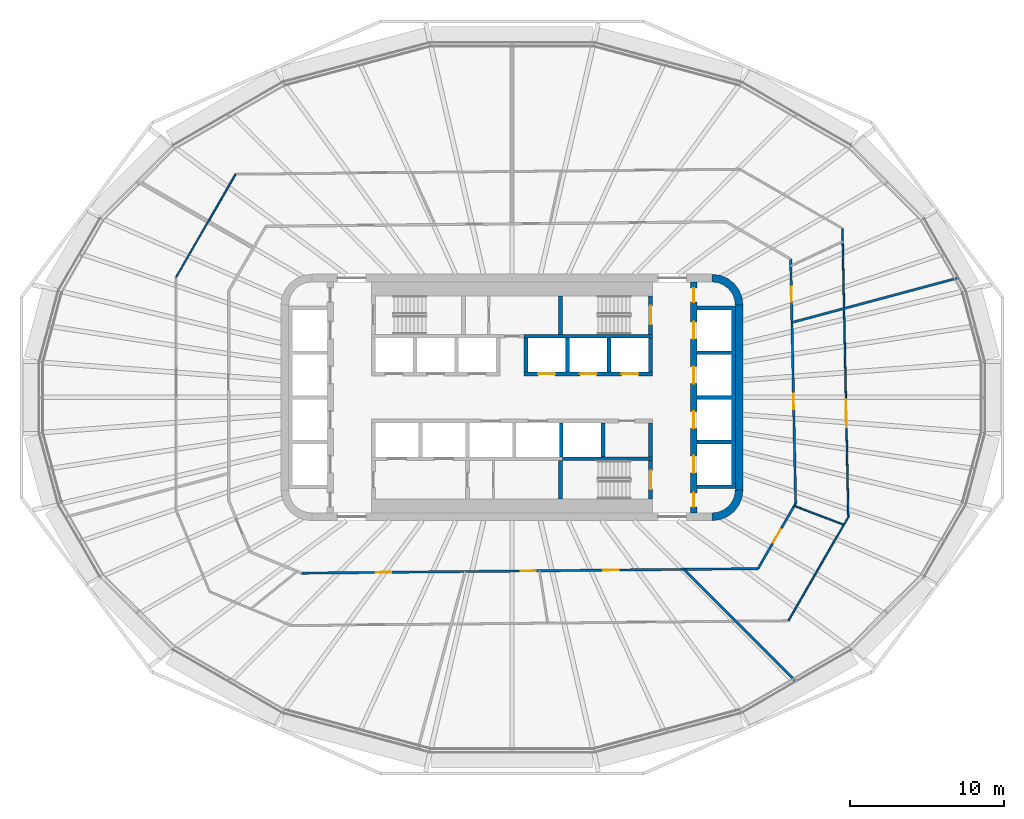
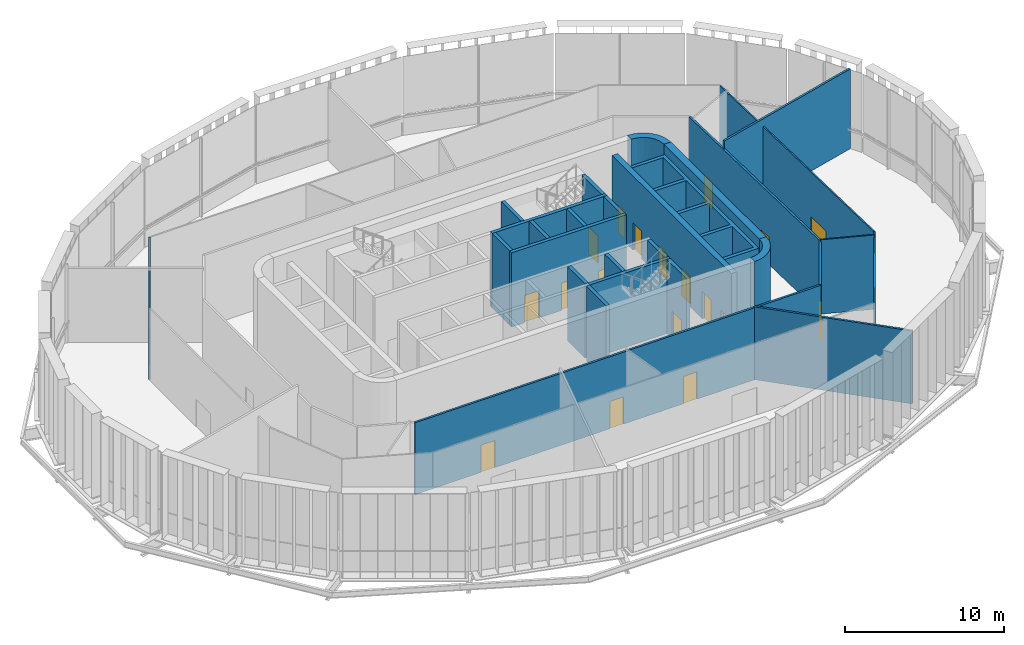
# One storey, part 9 of 18: 28 walls, 18 doors, 18 openings.
"""IFC4 building model written with IfcOpenShell, lengths in metres."""

from ifc_helpers import new_model, si_unit, direction, frame, frame_2d, origin, place, context, subcontext, project, spatial, polyline, rectangle, outline, extrude, material, layer, layer_set, type_object, element, fill, save


model = new_model("IFC4")

# Units and contexts
model_context = context("Model", 3, precision=1e-05, world=origin(), true_north=direction((0.0, 1.0)))
body_context = subcontext(model_context, "Body", "Model", "MODEL_VIEW")
ifc_project = project(units=[si_unit("LENGTHUNIT", "METRE"), si_unit("AREAUNIT", "SQUARE_METRE"), si_unit("VOLUMEUNIT", "CUBIC_METRE"), si_unit("PLANEANGLEUNIT", "RADIAN"), si_unit("MASSUNIT", "GRAM", prefix="KILO")], contexts=[model_context])

# Site, building, storey
site_placement = place(None, origin())
site = spatial("IfcSite", under=ifc_project, at=site_placement, CompositionType="ELEMENT")
building_placement = place(site_placement, origin())
building = spatial("IfcBuilding", under=site, at=building_placement, Name="Sahrelin Media Tower", CompositionType="ELEMENT")
storey_placement = place(building_placement, frame((0.0, 0.0, 203.0)))
storey = spatial("IfcBuildingStorey", under=building, at=storey_placement, Name="L43", CompositionType="ELEMENT", Elevation=203.0)

# Walls
ifc_material_1 = material(Name="Concrete C60/75", Category="concrete")
ifc_layer_1 = layer(ifc_material_1, 0.5)
ifc_layer_set_1 = layer_set([ifc_layer_1], Name="Core wall 500")
wall_type_1 = type_object("IfcWallType", Name="Core wall 500", PredefinedType="SHEAR", material=ifc_layer_set_1)
wall_1_placement = place(storey_placement, frame((14.75, -6.0, 0.0), z_axis=(0.0, 0.0, 1.0), x_axis=(0.0, 1.0, 0.0)))
element("IfcWall", 1, at=wall_1_placement, inside=storey, type_object=wall_type_1, Name="Core wall E L43", PredefinedType="SHEAR", context=body_context, shape_type="SweptSolid", body=[
    extrude(rectangle(XDim=12.0, YDim=0.5, at=frame_2d((6.0, 0.0))), origin(), (0.0, 0.0, 1.0), 6.449951171875),
])
placement = place(storey_placement, origin())
element("IfcWall", 2, at=placement, inside=storey, type_object=wall_type_1, Name="Core wall corner NE L43", PredefinedType="SHEAR", context=body_context, shape_type="SweptSolid", body=[
    extrude(outline(polyline([(13.0, 8.0), (13.0, 7.49560546875), (13.38720703125, 7.44482421875), (13.747802734375, 7.29541015625), (14.0576171875, 7.0576171875), (14.29541015625, 6.747802734375), (14.44482421875, 6.38720703125), (14.49560546875, 6.0), (15.0, 6.0), (14.931884765625, 6.517578125), (14.732177734375, 7.0), (14.414306640625, 7.414306640625), (14.0, 7.732177734375), (13.517578125, 7.931884765625), (13.0, 8.0)])), origin(), (0.0, 0.0, 1.0), 6.449951171875),
])
element("IfcWall", 3, at=placement, inside=storey, type_object=wall_type_1, Name="Core wall corner SE L43", PredefinedType="SHEAR", context=body_context, shape_type="SweptSolid", body=[
    extrude(outline(polyline([(15.0, -6.0), (14.49560546875, -6.0), (14.44482421875, -6.38720703125), (14.29541015625, -6.747802734375), (14.0576171875, -7.0576171875), (13.747802734375, -7.29541015625), (13.38720703125, -7.44482421875), (13.0, -7.49560546875), (13.0, -8.0), (13.517578125, -7.931884765625), (14.0, -7.732177734375), (14.414306640625, -7.414306640625), (14.732177734375, -7.0), (14.931884765625, -6.517578125), (15.0, -6.0)])), origin(), (0.0, 0.0, 1.0), 6.449951171875),
])

# Wall, openings, doors
ifc_material_2 = material(Name="Fire-rated gypsum board partition")
ifc_layer_2 = layer(ifc_material_2, 0.14990234375)
ifc_layer_set_2 = layer_set([ifc_layer_2], Name="Fire-rated partition 150")
wall_type_2 = type_object("IfcWallType", Name="Fire-rated partition 150", PredefinedType="PARTITIONING", material=ifc_layer_set_2)
wall_4_placement = place(storey_placement, frame((18.092041015625, 8.986083984375, 0.0), z_axis=(0.0, 0.0, 1.0), x_axis=(0.020463865079, -0.999790593187, 0.0)))
wall_4 = element("IfcWall", 4, at=wall_4_placement, inside=storey, type_object=wall_type_2, Name="Wall", PredefinedType="PARTITIONING", context=body_context, shape_type="SweptSolid", body=[
    extrude(rectangle(XDim=15.867431640625, YDim=0.14990234375, at=frame_2d((7.93359375, 0.0))), origin(), (0.0, 0.0, 1.0), 5.518310546875),
])
opening_1_placement = place(wall_4_placement, frame((1.78662109375, 0.0, 0.0)))
opening_1 = element("IfcOpeningElement", 5, at=opening_1_placement, cuts=wall_4, Name="Opening L43-D18", PredefinedType="OPENING", context=body_context, shape_type="SweptSolid", body=[
    extrude(rectangle(XDim=1.0, YDim=2.10009765625, at=frame_2d((0.5, 1.050048828125))), frame((0.0, 0.074951171875, 0.0), z_axis=(0.0, -1.0, 0.0), x_axis=(1.0, 0.0, 0.0)), (0.0, 0.0, 1.0), 0.14990234375),
])
opening_2_placement = place(wall_4_placement, frame((8.75634765625, 0.0, 0.0)))
opening_2 = element("IfcOpeningElement", 6, at=opening_2_placement, cuts=wall_4, Name="Opening L43-D34", PredefinedType="OPENING", context=body_context, shape_type="SweptSolid", body=[
    extrude(rectangle(XDim=1.0, YDim=2.10009765625, at=frame_2d((0.5, 1.050048828125))), frame((0.0, 0.074951171875, 0.0), z_axis=(0.0, -1.0, 0.0), x_axis=(1.0, 0.0, 0.0)), (0.0, 0.0, 1.0), 0.14990234375),
])
ifc_material_3 = material(Name="Steel fire door leaf", Category="steel")
door_type_1 = type_object("IfcDoorType", Name="Fire door 1000 x 2100 EI 60", OperationType="NOTDEFINED", PredefinedType="DOOR", material=ifc_material_3)
door_1_placement = place(opening_1_placement, origin())
door_1 = element("IfcDoor", 7, at=door_1_placement, inside=storey, type_object=door_type_1, Name="Fire door", OperationType="SINGLE_SWING_RIGHT", OverallHeight=2.10009765625, OverallWidth=1.0, PredefinedType="DOOR", context=body_context, shape_type="SweptSolid", body=[
    extrude(rectangle(XDim=1.0, YDim=2.10009765625, at=frame_2d((0.5, 1.050048828125))), frame((0.0, 0.02490234375, 0.0), z_axis=(0.0, -1.0, 0.0), x_axis=(1.0, 0.0, 0.0)), (0.0, 0.0, 1.0), 0.050048828125),
])
fill(opening_1, door_1)
door_2_placement = place(opening_2_placement, origin())
door_2 = element("IfcDoor", 8, at=door_2_placement, inside=storey, type_object=door_type_1, Name="Fire door", OperationType="SINGLE_SWING_LEFT", OverallHeight=2.10009765625, OverallWidth=1.0, PredefinedType="DOOR", context=body_context, shape_type="SweptSolid", body=[
    extrude(rectangle(XDim=1.0, YDim=2.10009765625, at=frame_2d((0.5, 1.050048828125))), frame((0.0, 0.02490234375, 0.0), z_axis=(0.0, -1.0, 0.0), x_axis=(1.0, 0.0, 0.0)), (0.0, 0.0, 1.0), 0.050048828125),
])
fill(opening_2, door_2)

# Wall
wall_5_placement = place(storey_placement, frame((11.160888671875, -11.160888671875, 0.0), z_axis=(0.0, 0.0, 1.0), x_axis=(0.707106781187, -0.707106781187, 0.0)))
element("IfcWall", 9, at=wall_5_placement, inside=storey, type_object=wall_type_2, Name="Wall", PredefinedType="PARTITIONING", context=body_context, shape_type="SweptSolid", body=[
    extrude(rectangle(XDim=10.291259765625, YDim=0.14990234375, at=frame_2d((5.1455078125, 0.0))), origin(), (0.0, 0.0, 1.0), 5.594970703125),
])

# Wall, openings, doors
wall_6_placement = place(storey_placement, frame((-13.659912109375, -11.406982421875, 0.0), z_axis=(0.0, 0.0, 1.0), x_axis=(0.999950890236, 0.009910454857, 0.0)))
wall_6 = element("IfcWall", 10, at=wall_6_placement, inside=storey, type_object=wall_type_2, Name="Wall", PredefinedType="PARTITIONING", context=body_context, shape_type="SweptSolid", body=[
    extrude(rectangle(XDim=29.635498046875, YDim=0.14990234375, at=frame_2d((14.81787109375, 0.0))), origin(), (0.0, 0.0, 1.0), 5.527099609375),
])
opening_3_placement = place(wall_6_placement, frame((4.816650390625, 0.0, 0.0)))
opening_3 = element("IfcOpeningElement", 11, at=opening_3_placement, cuts=wall_6, Name="Opening L43-D28", PredefinedType="OPENING", context=body_context, shape_type="SweptSolid", body=[
    extrude(rectangle(XDim=1.0, YDim=2.10009765625, at=frame_2d((0.5, 1.050048828125))), frame((0.0, 0.074951171875, 0.0), z_axis=(0.0, -1.0, 0.0), x_axis=(1.0, 0.0, 0.0)), (0.0, 0.0, 1.0), 0.14990234375),
])
opening_4_placement = place(wall_6_placement, frame((14.21728515625, 0.0, 0.0)))
opening_4 = element("IfcOpeningElement", 12, at=opening_4_placement, cuts=wall_6, Name="Opening L43-D30", PredefinedType="OPENING", context=body_context, shape_type="SweptSolid", body=[
    extrude(rectangle(XDim=1.0, YDim=2.10009765625, at=frame_2d((0.5, 1.050048828125))), frame((0.0, 0.074951171875, 0.0), z_axis=(0.0, -1.0, 0.0), x_axis=(1.0, 0.0, 0.0)), (0.0, 0.0, 1.0), 0.14990234375),
])
opening_5_placement = place(wall_6_placement, frame((19.581787109375, 0.0, 0.0)))
opening_5 = element("IfcOpeningElement", 13, at=opening_5_placement, cuts=wall_6, Name="Opening L43-D31", PredefinedType="OPENING", context=body_context, shape_type="SweptSolid", body=[
    extrude(rectangle(XDim=1.0, YDim=2.10009765625, at=frame_2d((0.5, 1.050048828125))), frame((0.0, 0.074951171875, 0.0), z_axis=(0.0, -1.0, 0.0), x_axis=(1.0, 0.0, 0.0)), (0.0, 0.0, 1.0), 0.14990234375),
])
door_3_placement = place(opening_3_placement, origin())
door_3 = element("IfcDoor", 14, at=door_3_placement, inside=storey, type_object=door_type_1, Name="Fire door", OperationType="SINGLE_SWING_RIGHT", OverallHeight=2.10009765625, OverallWidth=1.0, PredefinedType="DOOR", context=body_context, shape_type="SweptSolid", body=[
    extrude(rectangle(XDim=1.0, YDim=2.10009765625, at=frame_2d((0.5, 1.050048828125))), frame((0.0, 0.02490234375, 0.0), z_axis=(0.0, -1.0, 0.0), x_axis=(1.0, 0.0, 0.0)), (0.0, 0.0, 1.0), 0.050048828125),
])
fill(opening_3, door_3)
door_4_placement = place(opening_4_placement, origin())
door_4 = element("IfcDoor", 15, at=door_4_placement, inside=storey, type_object=door_type_1, Name="Fire door", OperationType="SINGLE_SWING_LEFT", OverallHeight=2.10009765625, OverallWidth=1.0, PredefinedType="DOOR", context=body_context, shape_type="SweptSolid", body=[
    extrude(rectangle(XDim=1.0, YDim=2.10009765625, at=frame_2d((0.5, 1.050048828125))), frame((0.0, 0.02490234375, 0.0), z_axis=(0.0, -1.0, 0.0), x_axis=(1.0, 0.0, 0.0)), (0.0, 0.0, 1.0), 0.050048828125),
])
fill(opening_4, door_4)
door_5_placement = place(opening_5_placement, origin())
door_5 = element("IfcDoor", 16, at=door_5_placement, inside=storey, type_object=door_type_1, Name="Fire door", OperationType="SINGLE_SWING_LEFT", OverallHeight=2.10009765625, OverallWidth=1.0, PredefinedType="DOOR", context=body_context, shape_type="SweptSolid", body=[
    extrude(rectangle(XDim=1.0, YDim=2.10009765625, at=frame_2d((0.5, 1.050048828125))), frame((0.0, 0.02490234375, 0.0), z_axis=(0.0, -1.0, 0.0), x_axis=(1.0, 0.0, 0.0)), (0.0, 0.0, 1.0), 0.050048828125),
])
fill(opening_5, door_5)

# Wall
wall_7_placement = place(storey_placement, frame((18.177001953125, 4.8701171875, 0.0), z_axis=(0.0, 0.0, 1.0), x_axis=(0.965933448556, 0.258790596738, 0.0)))
element("IfcWall", 17, at=wall_7_placement, inside=storey, type_object=wall_type_2, Name="Wall", PredefinedType="PARTITIONING", context=body_context, shape_type="SweptSolid", body=[
    extrude(rectangle(XDim=11.193359375, YDim=0.14990234375, at=frame_2d((5.5966796875, 0.0))), origin(), (0.0, 0.0, 1.0), 6.126708984375),
])

# Wall, opening, door
wall_8_placement = place(storey_placement, frame((15.97412109375, -11.113037109375, 0.0), z_axis=(0.0, 0.0, 1.0), x_axis=(0.499795925742, 0.866143194057, 0.0)))
wall_8 = element("IfcWall", 18, at=wall_8_placement, inside=storey, type_object=wall_type_2, Name="Wall", PredefinedType="PARTITIONING", context=body_context, shape_type="SweptSolid", body=[
    extrude(rectangle(XDim=4.89013671875, YDim=0.14990234375, at=frame_2d((2.445068359375, 0.0))), origin(), (0.0, 0.0, 1.0), 5.527099609375),
])
opening_6_placement = place(wall_8_placement, frame((1.94970703125, 0.0, 0.0)))
opening_6 = element("IfcOpeningElement", 19, at=opening_6_placement, cuts=wall_8, Name="Opening L43-D33", PredefinedType="OPENING", context=body_context, shape_type="SweptSolid", body=[
    extrude(rectangle(XDim=1.0, YDim=2.10009765625, at=frame_2d((0.5, 1.050048828125))), frame((0.0, 0.074951171875, 0.0), z_axis=(0.0, -1.0, 0.0), x_axis=(1.0, 0.0, 0.0)), (0.0, 0.0, 1.0), 0.14990234375),
])
door_6_placement = place(opening_6_placement, origin())
door_6 = element("IfcDoor", 20, at=door_6_placement, inside=storey, type_object=door_type_1, Name="Fire door", OperationType="SINGLE_SWING_RIGHT", OverallHeight=2.10009765625, OverallWidth=1.0, PredefinedType="DOOR", context=body_context, shape_type="SweptSolid", body=[
    extrude(rectangle(XDim=1.0, YDim=2.10009765625, at=frame_2d((0.5, 1.050048828125))), frame((0.0, 0.02490234375, 0.0), z_axis=(0.0, -1.0, 0.0), x_axis=(1.0, 0.0, 0.0)), (0.0, 0.0, 1.0), 0.050048828125),
])
fill(opening_6, door_6)

# Wall, openings, doors
ifc_layer_3 = layer(ifc_material_1, 0.25)
ifc_layer_set_3 = layer_set([ifc_layer_3], Name="Lift shaft wall 250")
wall_type_3 = type_object("IfcWallType", Name="Lift shaft wall 250", PredefinedType="SOLIDWALL", material=ifc_layer_set_3)
wall_9_placement = place(storey_placement, frame((0.77490234375, 1.52490234375, 0.0), z_axis=(0.0, 0.0, 1.0), x_axis=(1.0, 0.0, 0.0)))
wall_9 = element("IfcWall", 21, at=wall_9_placement, inside=storey, type_object=wall_type_3, Name="Lift shaft wall", PredefinedType="SOLIDWALL", context=body_context, shape_type="SweptSolid", body=[
    extrude(rectangle(XDim=8.35009765625, YDim=0.25, at=frame_2d((4.175048828125, 0.0))), origin(), (0.0, 0.0, 1.0), 5.699951171875),
])
opening_7_placement = place(wall_9_placement, frame((0.925048828125, 0.0, 0.0)))
opening_7 = element("IfcOpeningElement", 22, at=opening_7_placement, cuts=wall_9, Name="Opening L43-LD-HR4", PredefinedType="OPENING", context=body_context, shape_type="SweptSolid", body=[
    extrude(rectangle(XDim=1.10009765625, YDim=2.10009765625, at=frame_2d((0.550048828125, 1.050048828125))), frame((0.0, 0.125, 0.0), z_axis=(0.0, -1.0, 0.0), x_axis=(1.0, 0.0, 0.0)), (0.0, 0.0, 1.0), 0.25),
])
opening_8_placement = place(wall_9_placement, frame((3.625, 0.0, 0.0)))
opening_8 = element("IfcOpeningElement", 23, at=opening_8_placement, cuts=wall_9, Name="Opening L43-LD-HR5", PredefinedType="OPENING", context=body_context, shape_type="SweptSolid", body=[
    extrude(rectangle(XDim=1.10009765625, YDim=2.10009765625, at=frame_2d((0.550048828125, 1.050048828125))), frame((0.0, 0.125, 0.0), z_axis=(0.0, -1.0, 0.0), x_axis=(1.0, 0.0, 0.0)), (0.0, 0.0, 1.0), 0.25),
])
opening_9_placement = place(wall_9_placement, frame((6.324951171875, 0.0, 0.0)))
opening_9 = element("IfcOpeningElement", 24, at=opening_9_placement, cuts=wall_9, Name="Opening L43-LD-HR6", PredefinedType="OPENING", context=body_context, shape_type="SweptSolid", body=[
    extrude(rectangle(XDim=1.10009765625, YDim=2.10009765625, at=frame_2d((0.550048828125, 1.050048828125))), frame((0.0, 0.125, 0.0), z_axis=(0.0, -1.0, 0.0), x_axis=(1.0, 0.0, 0.0)), (0.0, 0.0, 1.0), 0.25),
])
ifc_material_4 = material(Name="Stainless steel", Category="steel")
door_type_2 = type_object("IfcDoorType", Name="Lift landing door 1100 x 2100 EI 120", OperationType="DOUBLE_DOOR_SLIDING", PredefinedType="DOOR", material=ifc_material_4)
door_7_placement = place(opening_7_placement, origin())
door_7 = element("IfcDoor", 25, at=door_7_placement, inside=storey, type_object=door_type_2, Name="Lift landing door HR4", OperationType="DOUBLE_DOOR_SLIDING", OverallHeight=2.10009765625, OverallWidth=1.10009765625, PredefinedType="DOOR", context=body_context, shape_type="SweptSolid", body=[
    extrude(rectangle(XDim=1.10009765625, YDim=2.10009765625, at=frame_2d((0.550048828125, 1.050048828125))), frame((0.0, 0.02490234375, 0.0), z_axis=(0.0, -1.0, 0.0), x_axis=(1.0, 0.0, 0.0)), (0.0, 0.0, 1.0), 0.050048828125),
])
fill(opening_7, door_7)
door_8_placement = place(opening_8_placement, origin())
door_8 = element("IfcDoor", 26, at=door_8_placement, inside=storey, type_object=door_type_2, Name="Lift landing door HR5", OperationType="DOUBLE_DOOR_SLIDING", OverallHeight=2.10009765625, OverallWidth=1.10009765625, PredefinedType="DOOR", context=body_context, shape_type="SweptSolid", body=[
    extrude(rectangle(XDim=1.10009765625, YDim=2.10009765625, at=frame_2d((0.550048828125, 1.050048828125))), frame((0.0, 0.02490234375, 0.0), z_axis=(0.0, -1.0, 0.0), x_axis=(1.0, 0.0, 0.0)), (0.0, 0.0, 1.0), 0.050048828125),
])
fill(opening_8, door_8)
door_9_placement = place(opening_9_placement, origin())
door_9 = element("IfcDoor", 27, at=door_9_placement, inside=storey, type_object=door_type_2, Name="Lift landing door HR6", OperationType="DOUBLE_DOOR_SLIDING", OverallHeight=2.10009765625, OverallWidth=1.10009765625, PredefinedType="DOOR", context=body_context, shape_type="SweptSolid", body=[
    extrude(rectangle(XDim=1.10009765625, YDim=2.10009765625, at=frame_2d((0.550048828125, 1.050048828125))), frame((0.0, 0.02490234375, 0.0), z_axis=(0.0, -1.0, 0.0), x_axis=(1.0, 0.0, 0.0)), (0.0, 0.0, 1.0), 0.050048828125),
])
fill(opening_9, door_9)

# Walls
wall_10_placement = place(storey_placement, frame((0.77490234375, 3.97509765625, 0.0), z_axis=(0.0, 0.0, 1.0), x_axis=(1.0, 0.0, 0.0)))
element("IfcWall", 28, at=wall_10_placement, inside=storey, type_object=wall_type_3, Name="Lift shaft wall", PredefinedType="SOLIDWALL", context=body_context, shape_type="SweptSolid", body=[
    extrude(rectangle(XDim=8.35009765625, YDim=0.25, at=frame_2d((4.175048828125, 0.0))), origin(), (0.0, 0.0, 1.0), 5.699951171875),
])
for number, where, z_axis, x_axis, name in (
    (29, (9.0, 1.64990234375, 0.0), (0.0, 0.0, 1.0), (0.0, 1.0, 0.0), "Lift shaft wall"),
    (30, (6.300048828125, 1.64990234375, 0.0), (0.0, 0.0, 1.0), (0.0, 1.0, 0.0), "Lift shaft wall"),
    (31, (3.60009765625, 1.64990234375, 0.0), (0.0, 0.0, 1.0), (0.0, 1.0, 0.0), "Lift shaft wall"),
    (32, (0.89990234375, 1.64990234375, 0.0), (0.0, 0.0, 1.0), (0.0, 1.0, 0.0), "Lift shaft wall"),
):
    element("IfcWall", number, at=place(storey_placement, frame(where, z_axis=z_axis, x_axis=x_axis)), inside=storey, type_object=wall_type_3, Name=name, PredefinedType="SOLIDWALL", context=body_context, shape_type="SweptSolid", body=[
        extrude(rectangle(XDim=2.2001953125, YDim=0.25, at=frame_2d((1.10009765625, 0.0))), origin(), (0.0, 0.0, 1.0), 5.699951171875),
    ])
wall_11_placement = place(storey_placement, frame((3.27490234375, -3.97509765625, 0.0), z_axis=(0.0, 0.0, 1.0), x_axis=(1.0, 0.0, 0.0)))
element("IfcWall", 33, at=wall_11_placement, inside=storey, type_object=wall_type_3, Name="Lift shaft wall", PredefinedType="SOLIDWALL", context=body_context, shape_type="SweptSolid", body=[
    extrude(rectangle(XDim=5.85009765625, YDim=0.25, at=frame_2d((2.925048828125, 0.0))), origin(), (0.0, 0.0, 1.0), 5.699951171875),
])
for number, where, z_axis, x_axis, name in (
    (34, (3.199951171875, -3.85009765625, 0.0), (0.0, 0.0, 1.0), (0.0, 1.0, 0.0), "Lift shaft wall"),
    (35, (5.89990234375, -3.85009765625, 0.0), (0.0, 0.0, 1.0), (0.0, 1.0, 0.0), "Lift shaft wall"),
    (36, (9.0, -3.85009765625, 0.0), (0.0, 0.0, 1.0), (0.0, 1.0, 0.0), "Lift shaft wall"),
):
    element("IfcWall", number, at=place(storey_placement, frame(where, z_axis=z_axis, x_axis=x_axis)), inside=storey, type_object=wall_type_3, Name=name, PredefinedType="SOLIDWALL", context=body_context, shape_type="SweptSolid", body=[
        extrude(rectangle(XDim=2.2001953125, YDim=0.25, at=frame_2d((1.10009765625, 0.0))), origin(), (0.0, 0.0, 1.0), 5.699951171875),
    ])
element("IfcWall", 37, at=placement, inside=storey, type_object=wall_type_3, Name="Lift shaft wall", PredefinedType="SOLIDWALL", context=body_context, shape_type="SweptSolid", body=[
    extrude(outline(polyline([(12.0, -5.675048828125), (12.0, -5.925048828125), (14.25, -5.925048828125), (14.5, -5.925048828125), (14.5, -5.675048828125), (14.5, -3.02490234375), (14.5, -2.77490234375), (14.5, -0.125), (14.5, 0.125), (14.5, 2.77490234375), (14.5, 3.02490234375), (14.5, 5.675048828125), (14.5, 5.925048828125), (14.25, 5.925048828125), (12.0, 5.925048828125), (12.0, 5.675048828125), (14.25, 5.675048828125), (14.25, 3.02490234375), (12.0, 3.02490234375), (12.0, 2.77490234375), (14.25, 2.77490234375), (14.25, 0.125), (12.0, 0.125), (12.0, -0.125), (14.25, -0.125), (14.25, -2.77490234375), (12.0, -2.77490234375), (12.0, -3.02490234375), (14.25, -3.02490234375), (14.25, -5.675048828125), (12.0, -5.675048828125)])), origin(), (0.0, 0.0, 1.0), 5.699951171875),
])

# Wall, openings, doors
ifc_layer_4 = layer(ifc_material_1, 0.39990234375)
ifc_layer_set_4 = layer_set([ifc_layer_4], Name="Lift shaft wall 400")
wall_type_4 = type_object("IfcWallType", Name="Lift shaft wall 400", PredefinedType="SOLIDWALL", material=ifc_layer_set_4)
wall_13_placement = place(storey_placement, frame((11.800048828125, -7.5, 0.0), z_axis=(0.0, 0.0, 1.0), x_axis=(0.0, 1.0, 0.0)))
wall_13 = element("IfcWall", 38, at=wall_13_placement, inside=storey, type_object=wall_type_4, Name="Lift shaft wall", PredefinedType="SOLIDWALL", context=body_context, shape_type="SweptSolid", body=[
    extrude(rectangle(XDim=15.0, YDim=0.39990234375, at=frame_2d((7.5, 0.0))), origin(), (0.0, 0.0, 1.0), 5.699951171875),
])
opening_10_placement = place(wall_13_placement, frame((11.300048828125, 0.0, 0.0)))
opening_10 = element("IfcOpeningElement", 39, at=opening_10_placement, cuts=wall_13, Name="Opening L43-LD-LR4", PredefinedType="OPENING", context=body_context, shape_type="SweptSolid", body=[
    extrude(rectangle(XDim=1.10009765625, YDim=2.10009765625, at=frame_2d((0.550048828125, 1.050048828125))), frame((0.0, 0.199951171875, 0.0), z_axis=(0.0, -1.0, 0.0), x_axis=(1.0, 0.0, 0.0)), (0.0, 0.0, 1.0), 0.39990234375),
])
opening_11_placement = place(wall_13_placement, frame((8.39990234375, 0.0, 0.0)))
opening_11 = element("IfcOpeningElement", 40, at=opening_11_placement, cuts=wall_13, Name="Opening L43-LD-LR5", PredefinedType="OPENING", context=body_context, shape_type="SweptSolid", body=[
    extrude(rectangle(XDim=1.10009765625, YDim=2.10009765625, at=frame_2d((0.550048828125, 1.050048828125))), frame((0.0, 0.199951171875, 0.0), z_axis=(0.0, -1.0, 0.0), x_axis=(1.0, 0.0, 0.0)), (0.0, 0.0, 1.0), 0.39990234375),
])
opening_12_placement = place(wall_13_placement, frame((5.5, 0.0, 0.0)))
opening_12 = element("IfcOpeningElement", 41, at=opening_12_placement, cuts=wall_13, Name="Opening L43-LD-LR6", PredefinedType="OPENING", context=body_context, shape_type="SweptSolid", body=[
    extrude(rectangle(XDim=1.10009765625, YDim=2.10009765625, at=frame_2d((0.550048828125, 1.050048828125))), frame((0.0, 0.199951171875, 0.0), z_axis=(0.0, -1.0, 0.0), x_axis=(1.0, 0.0, 0.0)), (0.0, 0.0, 1.0), 0.39990234375),
])
opening_13_placement = place(wall_13_placement, frame((2.60009765625, 0.0, 0.0)))
opening_13 = element("IfcOpeningElement", 42, at=opening_13_placement, cuts=wall_13, Name="Opening L43-LD-SH2", PredefinedType="OPENING", context=body_context, shape_type="SweptSolid", body=[
    extrude(rectangle(XDim=1.10009765625, YDim=2.10009765625, at=frame_2d((0.550048828125, 1.050048828125))), frame((0.0, 0.199951171875, 0.0), z_axis=(0.0, -1.0, 0.0), x_axis=(1.0, 0.0, 0.0)), (0.0, 0.0, 1.0), 0.39990234375),
])
opening_14_placement = place(wall_13_placement, frame((13.696533203125, 0.0, 0.0)))
opening_14 = element("IfcOpeningElement", 43, at=opening_14_placement, cuts=wall_13, Name="Opening L43-D12", PredefinedType="OPENING", context=body_context, shape_type="SweptSolid", body=[
    extrude(rectangle(XDim=0.89990234375, YDim=2.10009765625, at=frame_2d((0.449951171875, 1.050048828125))), frame((0.0, 0.199951171875, 0.0), z_axis=(0.0, -1.0, 0.0), x_axis=(1.0, 0.0, 0.0)), (0.0, 0.0, 1.0), 0.39990234375),
])
opening_15_placement = place(wall_13_placement, frame((0.4033203125, 0.0, 0.0)))
opening_15 = element("IfcOpeningElement", 44, at=opening_15_placement, cuts=wall_13, Name="Opening L43-D13", PredefinedType="OPENING", context=body_context, shape_type="SweptSolid", body=[
    extrude(rectangle(XDim=0.89990234375, YDim=2.10009765625, at=frame_2d((0.449951171875, 1.050048828125))), frame((0.0, 0.199951171875, 0.0), z_axis=(0.0, -1.0, 0.0), x_axis=(1.0, 0.0, 0.0)), (0.0, 0.0, 1.0), 0.39990234375),
])
door_10_placement = place(opening_10_placement, origin())
door_10 = element("IfcDoor", 45, at=door_10_placement, inside=storey, type_object=door_type_2, Name="Lift landing door LR4", OperationType="DOUBLE_DOOR_SLIDING", OverallHeight=2.10009765625, OverallWidth=1.10009765625, PredefinedType="DOOR", context=body_context, shape_type="SweptSolid", body=[
    extrude(rectangle(XDim=1.10009765625, YDim=2.10009765625, at=frame_2d((0.550048828125, 1.050048828125))), frame((0.0, 0.02490234375, 0.0), z_axis=(0.0, -1.0, 0.0), x_axis=(1.0, 0.0, 0.0)), (0.0, 0.0, 1.0), 0.050048828125),
])
fill(opening_10, door_10)
door_11_placement = place(opening_11_placement, origin())
door_11 = element("IfcDoor", 46, at=door_11_placement, inside=storey, type_object=door_type_2, Name="Lift landing door LR5", OperationType="DOUBLE_DOOR_SLIDING", OverallHeight=2.10009765625, OverallWidth=1.10009765625, PredefinedType="DOOR", context=body_context, shape_type="SweptSolid", body=[
    extrude(rectangle(XDim=1.10009765625, YDim=2.10009765625, at=frame_2d((0.550048828125, 1.050048828125))), frame((0.0, 0.02490234375, 0.0), z_axis=(0.0, -1.0, 0.0), x_axis=(1.0, 0.0, 0.0)), (0.0, 0.0, 1.0), 0.050048828125),
])
fill(opening_11, door_11)
door_12_placement = place(opening_12_placement, origin())
door_12 = element("IfcDoor", 47, at=door_12_placement, inside=storey, type_object=door_type_2, Name="Lift landing door LR6", OperationType="DOUBLE_DOOR_SLIDING", OverallHeight=2.10009765625, OverallWidth=1.10009765625, PredefinedType="DOOR", context=body_context, shape_type="SweptSolid", body=[
    extrude(rectangle(XDim=1.10009765625, YDim=2.10009765625, at=frame_2d((0.550048828125, 1.050048828125))), frame((0.0, 0.02490234375, 0.0), z_axis=(0.0, -1.0, 0.0), x_axis=(1.0, 0.0, 0.0)), (0.0, 0.0, 1.0), 0.050048828125),
])
fill(opening_12, door_12)
door_13_placement = place(opening_13_placement, origin())
door_13 = element("IfcDoor", 48, at=door_13_placement, inside=storey, type_object=door_type_2, Name="Lift landing door SH2", OperationType="DOUBLE_DOOR_SLIDING", OverallHeight=2.10009765625, OverallWidth=1.10009765625, PredefinedType="DOOR", context=body_context, shape_type="SweptSolid", body=[
    extrude(rectangle(XDim=1.10009765625, YDim=2.10009765625, at=frame_2d((0.550048828125, 1.050048828125))), frame((0.0, 0.02490234375, 0.0), z_axis=(0.0, -1.0, 0.0), x_axis=(1.0, 0.0, 0.0)), (0.0, 0.0, 1.0), 0.050048828125),
])
fill(opening_13, door_13)
door_type_3 = type_object("IfcDoorType", Name="Riser door 900 x 2100 EI 120", OperationType="NOTDEFINED", PredefinedType="DOOR", material=ifc_material_3)
door_14_placement = place(opening_14_placement, origin())
door_14 = element("IfcDoor", 49, at=door_14_placement, inside=storey, type_object=door_type_3, Name="Riser door", OperationType="SINGLE_SWING_RIGHT", OverallHeight=2.10009765625, OverallWidth=0.89990234375, PredefinedType="DOOR", context=body_context, shape_type="SweptSolid", body=[
    extrude(rectangle(XDim=0.89990234375, YDim=2.10009765625, at=frame_2d((0.449951171875, 1.050048828125))), frame((0.0, 0.02490234375, 0.0), z_axis=(0.0, -1.0, 0.0), x_axis=(1.0, 0.0, 0.0)), (0.0, 0.0, 1.0), 0.050048828125),
])
fill(opening_14, door_14)
door_15_placement = place(opening_15_placement, origin())
door_15 = element("IfcDoor", 50, at=door_15_placement, inside=storey, type_object=door_type_3, Name="Riser door", OperationType="SINGLE_SWING_RIGHT", OverallHeight=2.10009765625, OverallWidth=0.89990234375, PredefinedType="DOOR", context=body_context, shape_type="SweptSolid", body=[
    extrude(rectangle(XDim=0.89990234375, YDim=2.10009765625, at=frame_2d((0.449951171875, 1.050048828125))), frame((0.0, 0.02490234375, 0.0), z_axis=(0.0, -1.0, 0.0), x_axis=(1.0, 0.0, 0.0)), (0.0, 0.0, 1.0), 0.050048828125),
])
fill(opening_15, door_15)

# Wall, opening, door
ifc_material_5 = material(Name="Gypsum board partition")
ifc_layer_5 = layer(ifc_material_5, 0.10009765625)
ifc_layer_set_5 = layer_set([ifc_layer_5], Name="Partition 100")
wall_type_5 = type_object("IfcWallType", Name="Partition 100", PredefinedType="PARTITIONING", material=ifc_layer_set_5)
wall_14_placement = place(storey_placement, frame((21.451904296875, 10.971923828125, 0.0), z_axis=(0.0, 0.0, 1.0), x_axis=(0.020449379556, -0.999790889574, 0.0)))
wall_14 = element("IfcWall", 51, at=wall_14_placement, inside=storey, type_object=wall_type_5, Name="Wall", PredefinedType="PARTITIONING", context=body_context, shape_type="SweptSolid", body=[
    extrude(rectangle(XDim=18.73193359375, YDim=0.10009765625, at=frame_2d((9.365966796875, 0.0))), origin(), (0.0, 0.0, 1.0), 5.518310546875),
])
opening_16_placement = place(wall_14_placement, frame((11.118408203125, 0.0, 0.0)))
opening_16 = element("IfcOpeningElement", 52, at=opening_16_placement, cuts=wall_14, Name="Opening L43-D35", PredefinedType="OPENING", context=body_context, shape_type="SweptSolid", body=[
    extrude(rectangle(XDim=1.800048828125, YDim=2.10009765625, at=frame_2d((0.89990234375, 1.050048828125))), frame((0.0, 0.050048828125, 0.0), z_axis=(0.0, -1.0, 0.0), x_axis=(1.0, 0.0, 0.0)), (0.0, 0.0, 1.0), 0.10009765625),
])
ifc_material_6 = material(Name="Timber door leaf", Category="wood")
door_type_4 = type_object("IfcDoorType", Name="Double door 1800 x 2100", OperationType="DOUBLE_DOOR_SINGLE_SWING", PredefinedType="DOOR", material=ifc_material_6)
door_16_placement = place(opening_16_placement, origin())
door_16 = element("IfcDoor", 53, at=door_16_placement, inside=storey, type_object=door_type_4, Name="Double door", OperationType="DOUBLE_DOOR_SINGLE_SWING", OverallHeight=2.10009765625, OverallWidth=1.800048828125, PredefinedType="DOOR", context=body_context, shape_type="SweptSolid", body=[
    extrude(rectangle(XDim=1.800048828125, YDim=2.10009765625, at=frame_2d((0.89990234375, 1.050048828125))), frame((0.0, 0.02490234375, 0.0), z_axis=(0.0, -1.0, 0.0), x_axis=(1.0, 0.0, 0.0)), (0.0, 0.0, 1.0), 0.050048828125),
])
fill(opening_16, door_16)

# Walls
wall_15_placement = place(storey_placement, frame((18.327880859375, -7.035888671875, 0.0), z_axis=(0.0, 0.0, 1.0), x_axis=(0.933641391497, -0.358209089894, 0.0)))
element("IfcWall", 54, at=wall_15_placement, inside=storey, type_object=wall_type_5, Name="Wall", PredefinedType="PARTITIONING", context=body_context, shape_type="SweptSolid", body=[
    extrude(rectangle(XDim=3.442626953125, YDim=0.10009765625, at=frame_2d((1.72119140625, 0.0))), origin(), (0.0, 0.0, 1.0), 5.699951171875),
])
wall_16_placement = place(storey_placement, frame((17.947998046875, -14.493896484375, 0.0), z_axis=(0.0, 0.0, 1.0), x_axis=(0.49994610202, 0.866056519561, 0.0)))
element("IfcWall", 55, at=wall_16_placement, inside=storey, type_object=wall_type_5, Name="Wall", PredefinedType="PARTITIONING", context=body_context, shape_type="SweptSolid", body=[
    extrude(rectangle(XDim=7.780029296875, YDim=0.10009765625, at=frame_2d((3.89013671875, 0.0))), origin(), (0.0, 0.0, 1.0), 5.527099609375),
])
wall_17_placement = place(storey_placement, frame((-21.800048828125, 7.822021484375, 0.0), z_axis=(0.0, 0.0, 1.0), x_axis=(0.499942825872, 0.866058410766, 0.0)))
element("IfcWall", 56, at=wall_17_placement, inside=storey, type_object=wall_type_5, Name="Wall", PredefinedType="PARTITIONING", context=body_context, shape_type="SweptSolid", body=[
    extrude(rectangle(XDim=7.7041015625, YDim=0.10009765625, at=frame_2d((3.85205078125, 0.0))), origin(), (0.0, 0.0, 1.0), 5.527099609375),
])

# Wall, opening, door
ifc_layer_6 = layer(ifc_material_1, 0.25)
ifc_layer_set_6 = layer_set([ifc_layer_6], Name="Stair enclosure wall 250")
wall_type_6 = type_object("IfcWallType", Name="Stair enclosure wall 250", PredefinedType="SOLIDWALL", material=ifc_layer_set_6)
wall_18_placement = place(storey_placement, frame((9.0, 4.10009765625, 0.0), z_axis=(0.0, 0.0, 1.0), x_axis=(0.0, 1.0, 0.0)))
wall_18 = element("IfcWall", 57, at=wall_18_placement, inside=storey, type_object=wall_type_6, Name="Stair enclosure wall", PredefinedType="SOLIDWALL", context=body_context, shape_type="SweptSolid", body=[
    extrude(rectangle(XDim=2.5, YDim=0.25, at=frame_2d((1.25, 0.0))), origin(), (0.0, 0.0, 1.0), 5.699951171875),
])
opening_17_placement = place(wall_18_placement, frame((0.64990234375, 0.0, 0.0)))
opening_17 = element("IfcOpeningElement", 58, at=opening_17_placement, cuts=wall_18, Name="Opening L43-D02", PredefinedType="OPENING", context=body_context, shape_type="SweptSolid", body=[
    extrude(rectangle(XDim=1.199951171875, YDim=2.10009765625, at=frame_2d((0.60009765625, 1.050048828125))), frame((0.0, 0.125, 0.0), z_axis=(0.0, -1.0, 0.0), x_axis=(1.0, 0.0, 0.0)), (0.0, 0.0, 1.0), 0.25),
])
door_type_5 = type_object("IfcDoorType", Name="Stair door 1200 x 2100 EI 120", OperationType="NOTDEFINED", PredefinedType="DOOR", material=ifc_material_3)
door_17_placement = place(opening_17_placement, origin())
door_17 = element("IfcDoor", 59, at=door_17_placement, inside=storey, type_object=door_type_5, Name="Stair door ST3", OperationType="SINGLE_SWING_LEFT", OverallHeight=2.10009765625, OverallWidth=1.199951171875, PredefinedType="DOOR", context=body_context, shape_type="SweptSolid", body=[
    extrude(rectangle(XDim=1.199951171875, YDim=2.10009765625, at=frame_2d((0.60009765625, 1.050048828125))), frame((0.0, 0.02490234375, 0.0), z_axis=(0.0, -1.0, 0.0), x_axis=(1.0, 0.0, 0.0)), (0.0, 0.0, 1.0), 0.050048828125),
])
fill(opening_17, door_17)

wall_19_placement = place(storey_placement, frame((9.0, -6.60009765625, 0.0), z_axis=(0.0, 0.0, 1.0), x_axis=(0.0, 1.0, 0.0)))
wall_19 = element("IfcWall", 60, at=wall_19_placement, inside=storey, type_object=wall_type_6, Name="Stair enclosure wall", PredefinedType="SOLIDWALL", context=body_context, shape_type="SweptSolid", body=[
    extrude(rectangle(XDim=2.5, YDim=0.25, at=frame_2d((1.25, 0.0))), origin(), (0.0, 0.0, 1.0), 5.699951171875),
])
opening_18_placement = place(wall_19_placement, frame((0.64990234375, 0.0, 0.0)))
opening_18 = element("IfcOpeningElement", 61, at=opening_18_placement, cuts=wall_19, Name="Opening L43-D03", PredefinedType="OPENING", context=body_context, shape_type="SweptSolid", body=[
    extrude(rectangle(XDim=1.199951171875, YDim=2.10009765625, at=frame_2d((0.60009765625, 1.050048828125))), frame((0.0, 0.125, 0.0), z_axis=(0.0, -1.0, 0.0), x_axis=(1.0, 0.0, 0.0)), (0.0, 0.0, 1.0), 0.25),
])
door_18_placement = place(opening_18_placement, origin())
door_18 = element("IfcDoor", 62, at=door_18_placement, inside=storey, type_object=door_type_5, Name="Stair door ST2", OperationType="SINGLE_SWING_LEFT", OverallHeight=2.10009765625, OverallWidth=1.199951171875, PredefinedType="DOOR", context=body_context, shape_type="SweptSolid", body=[
    extrude(rectangle(XDim=1.199951171875, YDim=2.10009765625, at=frame_2d((0.60009765625, 1.050048828125))), frame((0.0, 0.02490234375, 0.0), z_axis=(0.0, -1.0, 0.0), x_axis=(1.0, 0.0, 0.0)), (0.0, 0.0, 1.0), 0.050048828125),
])
fill(opening_18, door_18)

# Walls
for number, where, z_axis, x_axis, name in (
    (63, (3.14990234375, 4.10009765625, 0.0), (0.0, 0.0, 1.0), (0.0, 1.0, 0.0), "Stair enclosure wall"),
    (64, (3.14990234375, -6.60009765625, 0.0), (0.0, 0.0, 1.0), (0.0, 1.0, 0.0), "Stair enclosure wall"),
):
    element("IfcWall", number, at=place(storey_placement, frame(where, z_axis=z_axis, x_axis=x_axis)), inside=storey, type_object=wall_type_6, Name=name, PredefinedType="SOLIDWALL", context=body_context, shape_type="SweptSolid", body=[
        extrude(rectangle(XDim=2.5, YDim=0.25, at=frame_2d((1.25, 0.0))), origin(), (0.0, 0.0, 1.0), 5.699951171875),
    ])

save(model, "model.ifc")
